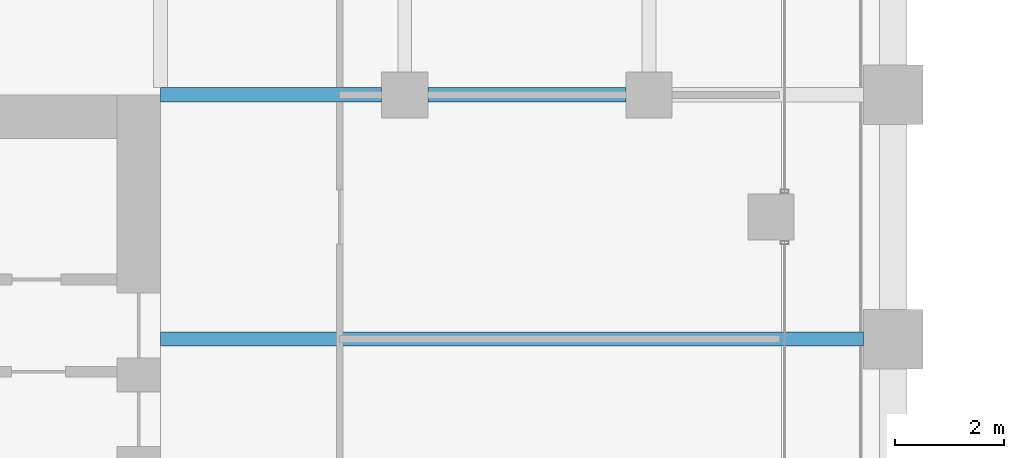
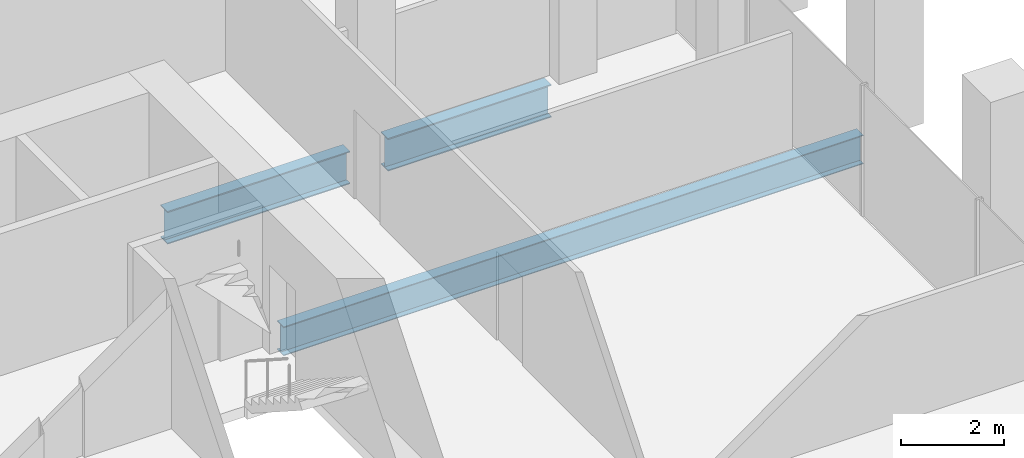
# One storey, part 21 of 56: 3 beams.
"""IFC4 building model written with IfcOpenShell, lengths in metres."""

from ifc_helpers import new_model, si_unit, direction, frame, origin, origin_2d, place, context, subcontext, project, spatial, i_section, extrude, material, material_profile, profile_set, type_object, element, save


model = new_model("IFC4")

# Units and contexts
model_context = context("Model", 3, precision=1e-05, world=origin(), true_north=direction((0.0, 1.0)))
body_context = subcontext(model_context, "Body", "Model", "MODEL_VIEW")
ifc_project = project(units=[si_unit("LENGTHUNIT", "METRE"), si_unit("AREAUNIT", "SQUARE_METRE"), si_unit("VOLUMEUNIT", "CUBIC_METRE"), si_unit("PLANEANGLEUNIT", "RADIAN"), si_unit("MASSUNIT", "GRAM", prefix="KILO")], contexts=[model_context])

# Site, building, storey
site_placement = place(None, origin())
site = spatial("IfcSite", under=ifc_project, at=site_placement, CompositionType="ELEMENT")
building_placement = place(site_placement, origin())
building = spatial("IfcBuilding", under=site, at=building_placement, Name="Altepetl Exchange Towers", CompositionType="ELEMENT")
storey_placement = place(building_placement, frame((0.0, 0.0, 79.800048828125)))
storey = spatial("IfcBuildingStorey", under=building, at=storey_placement, Name="L19", CompositionType="ELEMENT", Elevation=79.800048828125)

# Beams
ifc_material = material(Name="Steel S355", Category="steel")
ifc_material_profile_1 = material_profile(ifc_material, i_section(OverallWidth=0.25390625, OverallDepth=0.68408203125, WebThickness=0.012451171875, FlangeThickness=0.018798828125, at=origin_2d()), Name="W27X94")
ifc_profile_set_1 = profile_set([ifc_material_profile_1], Name="Steel S355")
beam_type_1 = type_object("IfcBeamType", Name="Floor beam W27X94", PredefinedType="BEAM", material=ifc_profile_set_1)
beam_1_placement = place(storey_placement, frame((58.5, 54.0, -0.491943359375), z_axis=(1.0, 0.0, 0.0), x_axis=(0.0, 1.0, 0.0)))
element("IfcBeam", 1, at=beam_1_placement, inside=storey, type_object=beam_type_1, Name="bm:A:L19:011", PredefinedType="BEAM", context=body_context, shape_type="SweptSolid", body=[
    extrude(i_section(OverallWidth=0.25390625, OverallDepth=0.68408203125, WebThickness=0.012451171875, FlangeThickness=0.018798828125, at=origin_2d()), origin(), (0.0, 0.0, 1.0), 12.949951171875),
])
ifc_material_profile_2 = material_profile(ifc_material, i_section(OverallWidth=0.26806640625, OverallDepth=0.77392578125, WebThickness=0.015380859375, FlangeThickness=0.025390625, at=origin_2d()), Name="W30X132")
ifc_profile_set_2 = profile_set([ifc_material_profile_2], Name="Steel S355")
beam_type_2 = type_object("IfcBeamType", Name="Girder W30X132", PredefinedType="BEAM", material=ifc_profile_set_2)
beam_2_placement = place(storey_placement, frame((58.5, 58.5, -0.537109375), z_axis=(1.0, 0.0, 0.0), x_axis=(0.0, 1.0, 0.0)))
element("IfcBeam", 2, at=beam_2_placement, inside=storey, type_object=beam_type_2, Name="gd:A:L19:000", PredefinedType="BEAM", context=body_context, shape_type="SweptSolid", body=[
    extrude(i_section(OverallWidth=0.26806640625, OverallDepth=0.77392578125, WebThickness=0.015380859375, FlangeThickness=0.025390625, at=origin_2d()), origin(), (0.0, 0.0, 1.0), 4.074951171875),
])
beam_3_placement = place(storey_placement, frame((63.425048828125, 58.5, -0.537109375), z_axis=(1.0, 0.0, 0.0), x_axis=(0.0, 1.0, 0.0)))
element("IfcBeam", 3, at=beam_3_placement, inside=storey, type_object=beam_type_2, Name="gd:A:L19:001", PredefinedType="BEAM", context=body_context, shape_type="SweptSolid", body=[
    extrude(i_section(OverallWidth=0.26806640625, OverallDepth=0.77392578125, WebThickness=0.015380859375, FlangeThickness=0.025390625, at=origin_2d()), origin(), (0.0, 0.0, 1.0), 3.64990234375),
])

save(model, "model.ifc")
